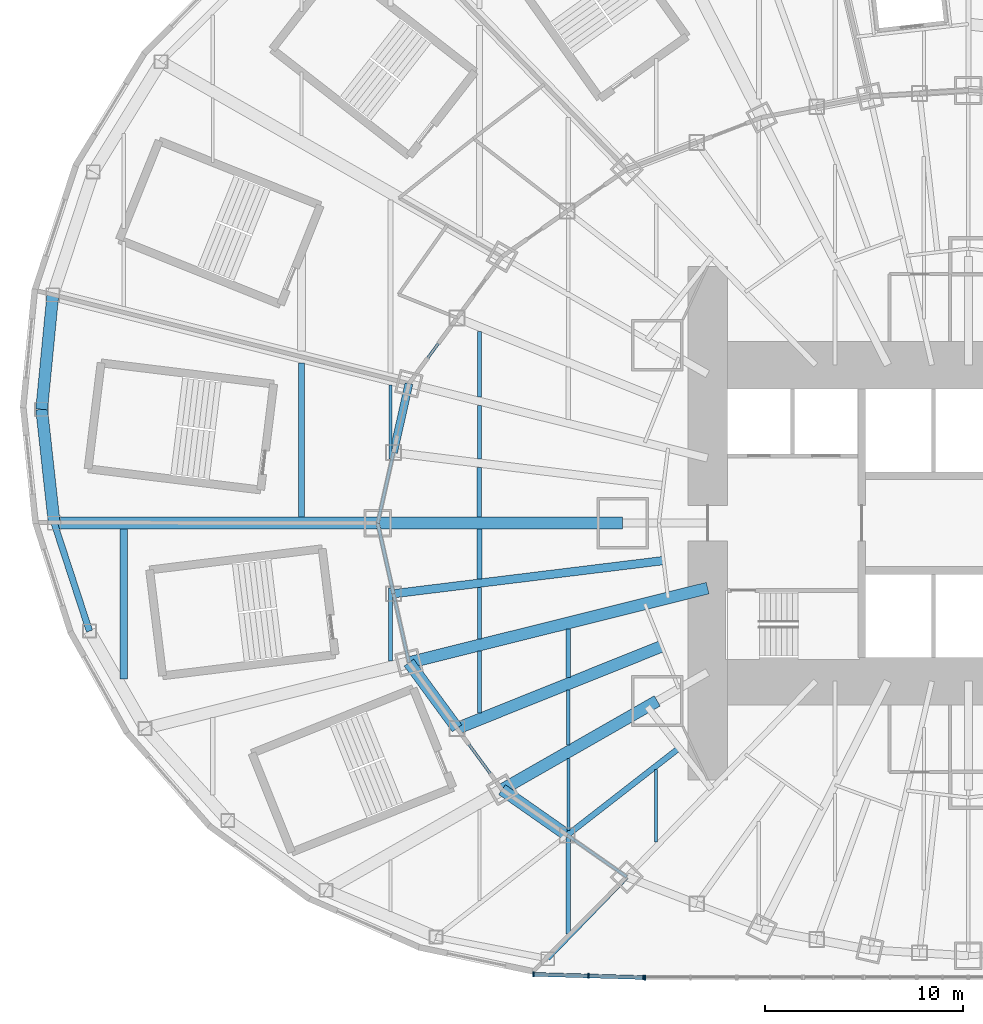
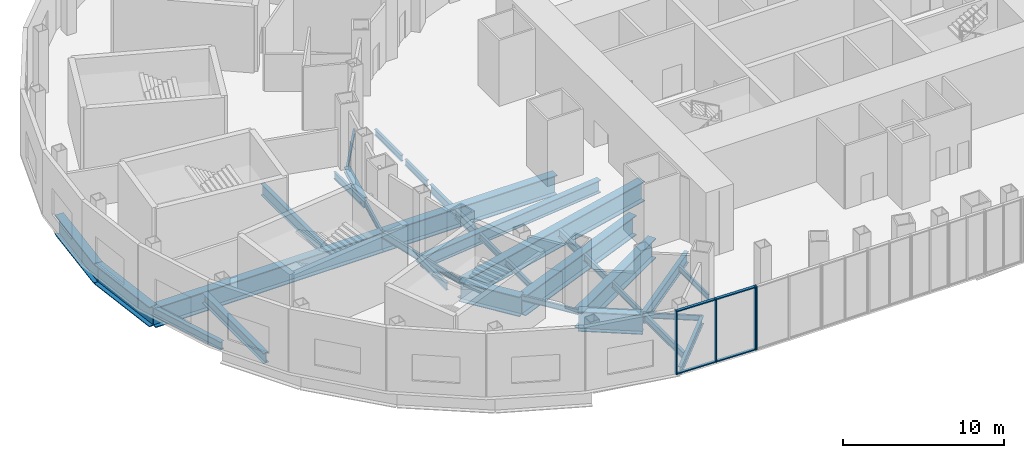
# One storey, part 2 of 73: 35 beams, 8 members, 2 elements without a shape of their own.
"""IFC4 building model written with IfcOpenShell, lengths in metres."""

from ifc_helpers import new_model, si_unit, direction, frame, origin, origin_2d, place, context, subcontext, project, spatial, rectangle, i_section, extrude, material, material_profile, profile_set, type_object, element, aggregate, save


model = new_model("IFC4")

# Units and contexts
model_context = context("Model", 3, precision=1e-05, world=origin(), true_north=direction((0.0, 1.0)))
body_context = subcontext(model_context, "Body", "Model", "MODEL_VIEW")
ifc_project = project(units=[si_unit("LENGTHUNIT", "METRE"), si_unit("AREAUNIT", "SQUARE_METRE"), si_unit("VOLUMEUNIT", "CUBIC_METRE"), si_unit("PLANEANGLEUNIT", "RADIAN"), si_unit("MASSUNIT", "GRAM", prefix="KILO")], contexts=[model_context])

# Site, building, storey
site_placement = place(None, origin())
site = spatial("IfcSite", under=ifc_project, at=site_placement, CompositionType="ELEMENT")
building_placement = place(site_placement, origin())
building = spatial("IfcBuilding", under=site, at=building_placement, Name="Lantaw Convention Tower", CompositionType="ELEMENT")
storey_placement = place(building_placement, frame((0.0, 0.0, 27.0)))
storey = spatial("IfcBuildingStorey", under=building, at=storey_placement, Name="L04", CompositionType="ELEMENT", Elevation=27.0)

# Beams
ifc_material_1 = material(Name="Steel ASTM A572 Grade 50", Category="steel")
ifc_material_profile_1 = material_profile(ifc_material_1, i_section(OverallWidth=0.60009765625, OverallDepth=1.5, WebThickness=0.02490234375, FlangeThickness=0.06005859375, at=origin_2d()), Name="PG1500X600X25X60")
ifc_profile_set_1 = profile_set([ifc_material_profile_1], Name="Steel ASTM A572 Grade 50")
beam_type_1 = type_object("IfcBeamType", Name="Beam E PG1500X600X25X60", PredefinedType="SPANDREL", material=ifc_profile_set_1)
beam_1_placement = place(storey_placement, frame((-28.31787109375, -7.060302734375, -0.949951171875), z_axis=(0.591255937291, -0.806483984105, 0.0), x_axis=(0.806483984105, 0.591255937291, 0.0)))
element("IfcBeam", 1, at=beam_1_placement, inside=storey, type_object=beam_type_1, Name="Edge beam 14", PredefinedType="SPANDREL", context=body_context, shape_type="SweptSolid", body=[
    extrude(i_section(OverallWidth=0.60009765625, OverallDepth=1.5, WebThickness=0.02490234375, FlangeThickness=0.06005859375, at=origin_2d()), origin(), (0.0, 0.0, 1.0), 4.126708984375),
])
beam_2_placement = place(storey_placement, frame((-23.60498046875, -13.488525390625, -0.949951171875), z_axis=(0.819442856133, -0.573160889744, 0.0), x_axis=(0.573160889744, 0.819442856133, 0.0)))
element("IfcBeam", 2, at=beam_2_placement, inside=storey, type_object=beam_type_1, Name="Edge beam 15", PredefinedType="SPANDREL", context=body_context, shape_type="SweptSolid", body=[
    extrude(i_section(OverallWidth=0.60009765625, OverallDepth=1.5, WebThickness=0.02490234375, FlangeThickness=0.06005859375, at=origin_2d()), origin(), (0.0, 0.0, 1.0), 4.022705078125),
])
beam_3_placement = place(storey_placement, frame((-46.342529296875, 11.554443359375, -0.949951171875), z_axis=(-0.097112121047, -0.995273447825, 0.0), x_axis=(0.995273447825, -0.097112121047, 0.0)))
element("IfcBeam", 3, at=beam_3_placement, inside=storey, type_object=beam_type_1, Name="Podium edge beam R11", PredefinedType="SPANDREL", context=body_context, shape_type="SweptSolid", body=[
    extrude(i_section(OverallWidth=0.60009765625, OverallDepth=1.5, WebThickness=0.02490234375, FlangeThickness=0.06005859375, at=origin_2d()), origin(), (0.0, 0.0, 1.0), 5.822509765625),
])
beam_4_placement = place(storey_placement, frame((-46.907958984375, 5.759521484375, -0.949951171875), z_axis=(0.109673093737, -0.993967712006, 0.0), x_axis=(0.993967712006, 0.109673093737, 0.0)))
element("IfcBeam", 4, at=beam_4_placement, inside=storey, type_object=beam_type_1, Name="Podium edge beam B11", PredefinedType="SPANDREL", context=body_context, shape_type="SweptSolid", body=[
    extrude(i_section(OverallWidth=0.60009765625, OverallDepth=1.5, WebThickness=0.02490234375, FlangeThickness=0.06005859375, at=origin_2d()), origin(), (0.0, 0.0, 1.0), 5.79443359375),
])
ifc_material_2 = material(Name="Steel ASTM A992", Category="steel")
ifc_material_profile_2 = material_profile(ifc_material_2, i_section(OverallWidth=0.40380859375, OverallDepth=0.406494140625, WebThickness=0.027099609375, FlangeThickness=0.043701171875, FilletRadius=0.01513671875, at=origin_2d()), Name="W14X233")
ifc_profile_set_2 = profile_set([ifc_material_profile_2], Name="Steel ASTM A992")
beam_type_2 = type_object("IfcBeamType", Name="Beam E W14X233", PredefinedType="SPANDREL", material=ifc_profile_set_2)
beam_5_placement = place(storey_placement, frame((-28.31787109375, 7.060302734375, -0.4033203125), z_axis=(-0.218673326171, -0.97579812278, 0.0), x_axis=(0.97579812278, -0.218673326171, 0.0)))
element("IfcBeam", 5, at=beam_5_placement, inside=storey, type_object=beam_type_2, Name="Edge beam 12", PredefinedType="SPANDREL", context=body_context, shape_type="SweptSolid", body=[
    extrude(i_section(OverallWidth=0.40380859375, OverallDepth=0.406494140625, WebThickness=0.027099609375, FlangeThickness=0.043701171875, FilletRadius=0.01513671875, at=origin_2d()), origin(), (0.0, 0.0, 1.0), 3.57373046875),
])
ifc_material_profile_3 = material_profile(ifc_material_2, i_section(OverallWidth=0.140380859375, OverallDepth=0.40380859375, WebThickness=0.007080078125, FlangeThickness=0.01123046875, FilletRadius=0.01025390625, at=origin_2d()), Name="W16X31")
ifc_profile_set_3 = profile_set([ifc_material_profile_3], Name="Steel ASTM A992")
beam_type_3 = type_object("IfcBeamType", Name="Beam E W16X31", PredefinedType="SPANDREL", material=ifc_profile_set_3)
beam_6_placement = place(storey_placement, frame((-25.8779296875, 10.388427734375, -0.40185546875), z_axis=(-0.591255937291, -0.806483984105, 0.0), x_axis=(0.806483984105, -0.591255937291, 0.0)))
element("IfcBeam", 6, at=beam_6_placement, inside=storey, type_object=beam_type_3, Name="Edge beam 11", PredefinedType="SPANDREL", context=body_context, shape_type="SweptSolid", body=[
    extrude(i_section(OverallWidth=0.140380859375, OverallDepth=0.40380859375, WebThickness=0.007080078125, FlangeThickness=0.01123046875, FilletRadius=0.01025390625, at=origin_2d()), origin(), (0.0, 0.0, 1.0), 4.126708984375),
])
beam_7_placement = place(storey_placement, frame((-29.099365234375, -3.572998046875, -0.40185546875), z_axis=(0.218673326171, -0.97579812278, 0.0), x_axis=(0.97579812278, 0.218673326171, 0.0)))
element("IfcBeam", 7, at=beam_7_placement, inside=storey, type_object=beam_type_3, Name="Edge beam 13", PredefinedType="SPANDREL", context=body_context, shape_type="SweptSolid", body=[
    extrude(i_section(OverallWidth=0.140380859375, OverallDepth=0.40380859375, WebThickness=0.007080078125, FlangeThickness=0.01123046875, FilletRadius=0.01025390625, at=origin_2d()), origin(), (0.0, 0.0, 1.0), 3.57373046875),
])
beam_8_placement = place(storey_placement, frame((-25.8779296875, -10.388427734375, -0.40185546875), z_axis=(0.591286566758, -0.806461527893, 0.0), x_axis=(0.806461527893, 0.591286566758, 0.0)))
element("IfcBeam", 8, at=beam_8_placement, inside=storey, type_object=beam_type_3, Name="Edge beam 14", PredefinedType="SPANDREL", context=body_context, shape_type="SweptSolid", body=[
    extrude(i_section(OverallWidth=0.140380859375, OverallDepth=0.40380859375, WebThickness=0.007080078125, FlangeThickness=0.01123046875, FilletRadius=0.01025390625, at=origin_2d()), origin(), (0.0, 0.0, 1.0), 3.843994140625),
])
beam_9_placement = place(storey_placement, frame((-20.30859375, -15.794189453125, -0.40185546875), z_axis=(0.819409395821, -0.573208724672, 0.0), x_axis=(0.573208724672, 0.819409395821, 0.0)))
element("IfcBeam", 9, at=beam_9_placement, inside=storey, type_object=beam_type_3, Name="Edge beam 15", PredefinedType="SPANDREL", context=body_context, shape_type="SweptSolid", body=[
    extrude(i_section(OverallWidth=0.140380859375, OverallDepth=0.40380859375, WebThickness=0.007080078125, FlangeThickness=0.01123046875, FilletRadius=0.01025390625, at=origin_2d()), origin(), (0.0, 0.0, 1.0), 3.682861328125),
])
ifc_material_profile_4 = material_profile(ifc_material_2, i_section(OverallWidth=0.15234375, OverallDepth=0.449462890625, WebThickness=0.007568359375, FlangeThickness=0.0107421875, FilletRadius=0.01025390625, at=origin_2d()), Name="W18X35")
ifc_profile_set_4 = profile_set([ifc_material_profile_4], Name="Steel ASTM A992")
beam_type_4 = type_object("IfcBeamType", Name="Beam E W18X35", PredefinedType="SPANDREL", material=ifc_profile_set_4)
beam_10_placement = place(storey_placement, frame((-29.099365234375, 3.572998046875, -0.4248046875), z_axis=(-0.218631550323, -0.975807483679, 0.0), x_axis=(0.975807483679, -0.218631550323, 0.0)))
element("IfcBeam", 10, at=beam_10_placement, inside=storey, type_object=beam_type_4, Name="Edge beam 12", PredefinedType="SPANDREL", context=body_context, shape_type="SweptSolid", body=[
    extrude(i_section(OverallWidth=0.15234375, OverallDepth=0.449462890625, WebThickness=0.007568359375, FlangeThickness=0.0107421875, FilletRadius=0.01025390625, at=origin_2d()), origin(), (0.0, 0.0, 1.0), 3.66162109375),
])
ifc_material_profile_5 = material_profile(ifc_material_2, i_section(OverallWidth=0.165771484375, OverallDepth=0.5283203125, WebThickness=0.009765625, FlangeThickness=0.013671875, FilletRadius=0.012939453125, at=origin_2d()), Name="W21X50")
ifc_profile_set_5 = profile_set([ifc_material_profile_5], Name="Steel ASTM A992")
beam_type_5 = type_object("IfcBeamType", Name="Beam E W21X50", PredefinedType="SPANDREL", material=ifc_profile_set_5)
beam_11_placement = place(storey_placement, frame((-29.89990234375, 0.0, -0.464111328125), z_axis=(0.218631550323, -0.975807483679, 0.0), x_axis=(0.975807483679, 0.218631550323, 0.0)))
element("IfcBeam", 11, at=beam_11_placement, inside=storey, type_object=beam_type_5, Name="Edge beam 13", PredefinedType="SPANDREL", context=body_context, shape_type="SweptSolid", body=[
    extrude(i_section(OverallWidth=0.165771484375, OverallDepth=0.5283203125, WebThickness=0.009765625, FlangeThickness=0.013671875, FilletRadius=0.012939453125, at=origin_2d()), origin(), (0.0, 0.0, 1.0), 3.66162109375),
])
ifc_material_profile_6 = material_profile(ifc_material_2, i_section(OverallWidth=0.3251953125, OverallDepth=0.612060546875, WebThickness=0.0126953125, FlangeThickness=0.01904296875, FilletRadius=0.0126953125, at=origin_2d()), Name="W24X104")
ifc_profile_set_6 = profile_set([ifc_material_profile_6], Name="Steel ASTM A992")
beam_type_6 = type_object("IfcBeamType", Name="Beam E W24X104", PredefinedType="SPANDREL", material=ifc_profile_set_6)
beam_12_placement = place(storey_placement, frame((-46.2724609375, 0.0, -0.506103515625), z_axis=(0.310448009473, -0.950590360468, 0.0), x_axis=(0.950590360468, 0.310448009473, 0.0)))
element("IfcBeam", 12, at=beam_12_placement, inside=storey, type_object=beam_type_6, Name="Podium edge beam R12", PredefinedType="SPANDREL", context=body_context, shape_type="SweptSolid", body=[
    extrude(i_section(OverallWidth=0.3251953125, OverallDepth=0.612060546875, WebThickness=0.0126953125, FlangeThickness=0.01904296875, FilletRadius=0.0126953125, at=origin_2d()), origin(), (0.0, 0.0, 1.0), 5.746337890625),
])
ifc_material_profile_7 = material_profile(ifc_material_1, i_section(OverallWidth=0.60009765625, OverallDepth=1.5, WebThickness=0.02490234375, FlangeThickness=0.06005859375, at=origin_2d()), Name="PG1500X600X25X60")
ifc_profile_set_7 = profile_set([ifc_material_profile_7], Name="Steel ASTM A572 Grade 50")
beam_type_7 = type_object("IfcBeamType", Name="Beam G PG1500X600X25X60", PredefinedType="BEAM", material=ifc_profile_set_7)
beam_13_placement = place(storey_placement, frame((-17.5, 0.0, -0.949951171875), z_axis=(-1.0, 0.0, 0.0), x_axis=(0.0, -1.0, 0.0)))
element("IfcBeam", 13, at=beam_13_placement, inside=storey, type_object=beam_type_7, Name="Floor girder on ray 13", PredefinedType="BEAM", context=body_context, shape_type="SweptSolid", body=[
    extrude(i_section(OverallWidth=0.60009765625, OverallDepth=1.5, WebThickness=0.02490234375, FlangeThickness=0.06005859375, at=origin_2d()), origin(), (0.0, 0.0, 1.0), 12.39990234375),
])
beam_14_placement = place(storey_placement, frame((-13.199951171875, -3.291015625, -0.949951171875), z_axis=(-0.970296233567, -0.241919860957, 0.0), x_axis=(0.241919860957, -0.970296233567, 0.0)))
element("IfcBeam", 14, at=beam_14_placement, inside=storey, type_object=beam_type_7, Name="Floor girder on ray 14", PredefinedType="BEAM", context=body_context, shape_type="SweptSolid", body=[
    extrude(i_section(OverallWidth=0.60009765625, OverallDepth=1.5, WebThickness=0.02490234375, FlangeThickness=0.06005859375, at=origin_2d()), origin(), (0.0, 0.0, 1.0), 15.580810546875),
])
beam_15_placement = place(storey_placement, frame((-15.52001953125, -6.23046875, -0.949951171875), z_axis=(-0.928018900171, -0.372533113864, 0.0), x_axis=(0.372533113864, -0.928018900171, 0.0)))
element("IfcBeam", 15, at=beam_15_placement, inside=storey, type_object=beam_type_7, Name="Floor girder on bisector 14", PredefinedType="BEAM", context=body_context, shape_type="SweptSolid", body=[
    extrude(i_section(OverallWidth=0.60009765625, OverallDepth=1.5, WebThickness=0.02490234375, FlangeThickness=0.06005859375, at=origin_2d()), origin(), (0.0, 0.0, 1.0), 11.161376953125),
])
beam_16_placement = place(storey_placement, frame((-15.75, -9.0, -0.949951171875), z_axis=(-0.868244802791, -0.496136032179, 0.0), x_axis=(0.496136032179, -0.868244802791, 0.0)))
element("IfcBeam", 16, at=beam_16_placement, inside=storey, type_object=beam_type_7, Name="Floor girder on ray 15", PredefinedType="BEAM", context=body_context, shape_type="SweptSolid", body=[
    extrude(i_section(OverallWidth=0.60009765625, OverallDepth=1.5, WebThickness=0.02490234375, FlangeThickness=0.06005859375, at=origin_2d()), origin(), (0.0, 0.0, 1.0), 9.046875),
])
ifc_material_profile_8 = material_profile(ifc_material_2, i_section(OverallWidth=0.2919921875, OverallDepth=0.845703125, WebThickness=0.015380859375, FlangeThickness=0.0244140625, FilletRadius=0.01513671875, at=origin_2d()), Name="W33X141")
ifc_profile_set_8 = profile_set([ifc_material_profile_8], Name="Steel ASTM A992")
beam_type_8 = type_object("IfcBeamType", Name="Beam G W33X141", PredefinedType="BEAM", material=ifc_profile_set_8)
beam_17_placement = place(storey_placement, frame((-14.628173828125, -11.37646484375, -0.622802734375), z_axis=(-0.789377792374, -0.613907729961, 0.0), x_axis=(0.613907729961, -0.789377792374, 0.0)))
element("IfcBeam", 17, at=beam_17_placement, inside=storey, type_object=beam_type_8, Name="Floor girder on bisector 15", PredefinedType="BEAM", context=body_context, shape_type="SweptSolid", body=[
    extrude(i_section(OverallWidth=0.2919921875, OverallDepth=0.845703125, WebThickness=0.015380859375, FlangeThickness=0.0244140625, FilletRadius=0.01513671875, at=origin_2d()), origin(), (0.0, 0.0, 1.0), 7.196044921875),
])
ifc_material_profile_9 = material_profile(ifc_material_2, i_section(OverallWidth=0.424072265625, OverallDepth=0.947509765625, WebThickness=0.02392578125, FlangeThickness=0.042724609375, FilletRadius=0.012451171875, at=origin_2d()), Name="W36X302")
ifc_profile_set_9 = profile_set([ifc_material_profile_9], Name="Steel ASTM A992")
beam_type_9 = type_object("IfcBeamType", Name="Beam G W36X302", PredefinedType="BEAM", material=ifc_profile_set_9)
beam_18_placement = place(storey_placement, frame((-15.433349609375, -1.89501953125, -0.673828125), z_axis=(-0.99254612715, -0.121869542874, 0.0), x_axis=(0.121869542874, -0.99254612715, 0.0)))
element("IfcBeam", 18, at=beam_18_placement, inside=storey, type_object=beam_type_9, Name="Floor girder on bisector 13", PredefinedType="BEAM", context=body_context, shape_type="SweptSolid", body=[
    extrude(i_section(OverallWidth=0.424072265625, OverallDepth=0.947509765625, WebThickness=0.02392578125, FlangeThickness=0.042724609375, FilletRadius=0.012451171875, at=origin_2d()), origin(), (0.0, 0.0, 1.0), 13.7685546875),
])
ifc_material_profile_10 = material_profile(ifc_material_2, i_section(OverallWidth=0.15234375, OverallDepth=0.449462890625, WebThickness=0.007568359375, FlangeThickness=0.0107421875, FilletRadius=0.01025390625, at=origin_2d()), Name="W18X35")
ifc_profile_set_10 = profile_set([ifc_material_profile_10], Name="Steel ASTM A992")
beam_type_10 = type_object("IfcBeamType", Name="Beam J W18X35", PredefinedType="JOIST", material=ifc_profile_set_10)
beam_19_placement = place(storey_placement, frame((-20.25, -15.5634765625, -0.4248046875), z_axis=(0.0, 1.0, 0.0), x_axis=(-1.0, 0.0, 0.0)))
element("IfcBeam", 19, at=beam_19_placement, inside=storey, type_object=beam_type_10, Name="Floor joist", PredefinedType="JOIST", context=body_context, shape_type="SweptSolid", body=[
    extrude(i_section(OverallWidth=0.15234375, OverallDepth=0.449462890625, WebThickness=0.007568359375, FlangeThickness=0.0107421875, FilletRadius=0.01025390625, at=origin_2d()), origin(), (0.0, 0.0, 1.0), 3.646484375),
])
beam_20_placement = place(storey_placement, frame((-15.800048828125, -16.151123046875, -0.4248046875), z_axis=(0.0, 1.0, 0.0), x_axis=(-1.0, 0.0, 0.0)))
element("IfcBeam", 20, at=beam_20_placement, inside=storey, type_object=beam_type_10, Name="Floor joist", PredefinedType="JOIST", context=body_context, shape_type="SweptSolid", body=[
    extrude(i_section(OverallWidth=0.15234375, OverallDepth=0.449462890625, WebThickness=0.007568359375, FlangeThickness=0.0107421875, FilletRadius=0.01025390625, at=origin_2d()), origin(), (0.0, 0.0, 1.0), 3.67822265625),
])
ifc_material_profile_11 = material_profile(ifc_material_2, i_section(OverallWidth=0.1904296875, OverallDepth=0.457275390625, WebThickness=0.009033203125, FlangeThickness=0.014404296875, FilletRadius=0.01025390625, at=origin_2d()), Name="W18X50")
ifc_profile_set_11 = profile_set([ifc_material_profile_11], Name="Steel ASTM A992")
beam_type_11 = type_object("IfcBeamType", Name="Beam J W18X50", PredefinedType="JOIST", material=ifc_profile_set_11)
beam_21_placement = place(storey_placement, frame((-24.75, -9.6123046875, -0.4287109375), z_axis=(0.0, 1.0, 0.0), x_axis=(-1.0, 0.0, 0.0)))
element("IfcBeam", 21, at=beam_21_placement, inside=storey, type_object=beam_type_11, Name="Floor joist", PredefinedType="JOIST", context=body_context, shape_type="SweptSolid", body=[
    extrude(i_section(OverallWidth=0.1904296875, OverallDepth=0.457275390625, WebThickness=0.009033203125, FlangeThickness=0.014404296875, FilletRadius=0.01025390625, at=origin_2d()), origin(), (0.0, 0.0, 1.0), 3.13232421875),
])
beam_22_placement = place(storey_placement, frame((-24.75, -5.861572265625, -0.4287109375), z_axis=(0.0, 1.0, 0.0), x_axis=(-1.0, 0.0, 0.0)))
element("IfcBeam", 22, at=beam_22_placement, inside=storey, type_object=beam_type_11, Name="Floor joist", PredefinedType="JOIST", context=body_context, shape_type="SweptSolid", body=[
    extrude(i_section(OverallWidth=0.1904296875, OverallDepth=0.457275390625, WebThickness=0.009033203125, FlangeThickness=0.014404296875, FilletRadius=0.01025390625, at=origin_2d()), origin(), (0.0, 0.0, 1.0), 2.60888671875),
])
beam_23_placement = place(storey_placement, frame((-24.75, 3.251220703125, -0.4287109375), z_axis=(0.0, 1.0, 0.0), x_axis=(-1.0, 0.0, 0.0)))
element("IfcBeam", 23, at=beam_23_placement, inside=storey, type_object=beam_type_11, Name="Floor joist", PredefinedType="JOIST", context=body_context, shape_type="SweptSolid", body=[
    extrude(i_section(OverallWidth=0.1904296875, OverallDepth=0.457275390625, WebThickness=0.009033203125, FlangeThickness=0.014404296875, FilletRadius=0.01025390625, at=origin_2d()), origin(), (0.0, 0.0, 1.0), 2.71142578125),
])
beam_24_placement = place(storey_placement, frame((-24.75, 6.37890625, -0.4287109375), z_axis=(0.0, 1.0, 0.0), x_axis=(-1.0, 0.0, 0.0)))
element("IfcBeam", 24, at=beam_24_placement, inside=storey, type_object=beam_type_11, Name="Floor joist", PredefinedType="JOIST", context=body_context, shape_type="SweptSolid", body=[
    extrude(i_section(OverallWidth=0.1904296875, OverallDepth=0.457275390625, WebThickness=0.009033203125, FlangeThickness=0.014404296875, FilletRadius=0.01025390625, at=origin_2d()), origin(), (0.0, 0.0, 1.0), 3.32958984375),
])
ifc_material_profile_12 = material_profile(ifc_material_2, i_section(OverallWidth=0.1650390625, OverallDepth=0.52587890625, WebThickness=0.0087890625, FlangeThickness=0.011474609375, FilletRadius=0.0126953125, at=origin_2d()), Name="W21X44")
ifc_profile_set_12 = profile_set([ifc_material_profile_12], Name="Steel ASTM A992")
beam_type_12 = type_object("IfcBeamType", Name="Beam J W21X44", PredefinedType="JOIST", material=ifc_profile_set_12)
beam_25_placement = place(storey_placement, frame((-29.25, 3.2490234375, -0.462890625), z_axis=(0.0, 1.0, 0.0), x_axis=(-1.0, 0.0, 0.0)))
element("IfcBeam", 25, at=beam_25_placement, inside=storey, type_object=beam_type_12, Name="Floor joist", PredefinedType="JOIST", context=body_context, shape_type="SweptSolid", body=[
    extrude(i_section(OverallWidth=0.1650390625, OverallDepth=0.52587890625, WebThickness=0.0087890625, FlangeThickness=0.011474609375, FilletRadius=0.0126953125, at=origin_2d()), origin(), (0.0, 0.0, 1.0), 3.734619140625),
])
beam_26_placement = place(storey_placement, frame((-20.25, -11.225830078125, -0.462890625), z_axis=(0.0, 1.0, 0.0), x_axis=(-1.0, 0.0, 0.0)))
element("IfcBeam", 26, at=beam_26_placement, inside=storey, type_object=beam_type_12, Name="Floor joist", PredefinedType="JOIST", context=body_context, shape_type="SweptSolid", body=[
    extrude(i_section(OverallWidth=0.1650390625, OverallDepth=0.52587890625, WebThickness=0.0087890625, FlangeThickness=0.011474609375, FilletRadius=0.0126953125, at=origin_2d()), origin(), (0.0, 0.0, 1.0), 2.7734375),
])
ifc_material_profile_13 = material_profile(ifc_material_2, i_section(OverallWidth=0.209228515625, OverallDepth=0.533447265625, WebThickness=0.01025390625, FlangeThickness=0.015625, FilletRadius=0.012939453125, at=origin_2d()), Name="W21X62")
ifc_profile_set_13 = profile_set([ifc_material_profile_13], Name="Steel ASTM A992")
beam_type_13 = type_object("IfcBeamType", Name="Beam J W21X62", PredefinedType="JOIST", material=ifc_profile_set_13)
beam_27_placement = place(storey_placement, frame((-29.25, -6.983642578125, -0.466796875), z_axis=(0.0, 1.0, 0.0), x_axis=(-1.0, 0.0, 0.0)))
element("IfcBeam", 27, at=beam_27_placement, inside=storey, type_object=beam_type_13, Name="Floor joist", PredefinedType="JOIST", context=body_context, shape_type="SweptSolid", body=[
    extrude(i_section(OverallWidth=0.209228515625, OverallDepth=0.533447265625, WebThickness=0.01025390625, FlangeThickness=0.015625, FilletRadius=0.012939453125, at=origin_2d()), origin(), (0.0, 0.0, 1.0), 3.703857421875),
])
ifc_material_profile_14 = material_profile(ifc_material_2, i_section(OverallWidth=0.2099609375, OverallDepth=0.535888671875, WebThickness=0.010986328125, FlangeThickness=0.017333984375, FilletRadius=0.012939453125, at=origin_2d()), Name="W21X68")
ifc_profile_set_14 = profile_set([ifc_material_profile_14], Name="Steel ASTM A992")
beam_type_14 = type_object("IfcBeamType", Name="Beam J W21X68", PredefinedType="JOIST", material=ifc_profile_set_14)
beam_28_placement = place(storey_placement, frame((-20.25, -20.805419921875, -0.468017578125), z_axis=(0.0, 1.0, 0.0), x_axis=(-1.0, 0.0, 0.0)))
element("IfcBeam", 28, at=beam_28_placement, inside=storey, type_object=beam_type_14, Name="Floor joist", PredefinedType="JOIST", context=body_context, shape_type="SweptSolid", body=[
    extrude(i_section(OverallWidth=0.2099609375, OverallDepth=0.535888671875, WebThickness=0.010986328125, FlangeThickness=0.017333984375, FilletRadius=0.012939453125, at=origin_2d()), origin(), (0.0, 0.0, 1.0), 4.884521484375),
])
ifc_material_profile_15 = material_profile(ifc_material_2, i_section(OverallWidth=0.227783203125, OverallDepth=0.60205078125, WebThickness=0.010498046875, FlangeThickness=0.014892578125, FilletRadius=0.012939453125, at=origin_2d()), Name="W24X68")
ifc_profile_set_15 = profile_set([ifc_material_profile_15], Name="Steel ASTM A992")
beam_type_15 = type_object("IfcBeamType", Name="Beam J W24X68", PredefinedType="JOIST", material=ifc_profile_set_15)
beam_29_placement = place(storey_placement, frame((-20.25, -7.805908203125, -0.5009765625), z_axis=(0.0, 1.0, 0.0), x_axis=(-1.0, 0.0, 0.0)))
element("IfcBeam", 29, at=beam_29_placement, inside=storey, type_object=beam_type_15, Name="Floor joist", PredefinedType="JOIST", context=body_context, shape_type="SweptSolid", body=[
    extrude(i_section(OverallWidth=0.227783203125, OverallDepth=0.60205078125, WebThickness=0.010498046875, FlangeThickness=0.014892578125, FilletRadius=0.012939453125, at=origin_2d()), origin(), (0.0, 0.0, 1.0), 2.44775390625),
])
ifc_material_profile_16 = material_profile(ifc_material_2, i_section(OverallWidth=0.22900390625, OverallDepth=0.612060546875, WebThickness=0.011962890625, FlangeThickness=0.01953125, FilletRadius=0.0126953125, at=origin_2d()), Name="W24X84")
ifc_profile_set_16 = profile_set([ifc_material_profile_16], Name="Steel ASTM A992")
beam_type_16 = type_object("IfcBeamType", Name="Beam J W24X84", PredefinedType="JOIST", material=ifc_profile_set_16)
beam_30_placement = place(storey_placement, frame((-24.75, 0.300048828125, -0.506103515625), z_axis=(0.0, 1.0, 0.0), x_axis=(-1.0, 0.0, 0.0)))
element("IfcBeam", 30, at=beam_30_placement, inside=storey, type_object=beam_type_16, Name="Floor joist", PredefinedType="JOIST", context=body_context, shape_type="SweptSolid", body=[
    extrude(i_section(OverallWidth=0.22900390625, OverallDepth=0.612060546875, WebThickness=0.011962890625, FlangeThickness=0.01953125, FilletRadius=0.0126953125, at=origin_2d()), origin(), (0.0, 0.0, 1.0), 2.5263671875),
])
ifc_material_profile_17 = material_profile(ifc_material_2, i_section(OverallWidth=0.25390625, OverallDepth=0.683349609375, WebThickness=0.012451171875, FlangeThickness=0.01904296875, FilletRadius=0.01513671875, at=origin_2d()), Name="W27X94")
ifc_profile_set_17 = profile_set([ifc_material_profile_17], Name="Steel ASTM A992")
beam_type_17 = type_object("IfcBeamType", Name="Beam J W27X94", PredefinedType="JOIST", material=ifc_profile_set_17)
beam_31_placement = place(storey_placement, frame((-24.75, -2.8251953125, -0.541748046875), z_axis=(0.0, 1.0, 0.0), x_axis=(-1.0, 0.0, 0.0)))
element("IfcBeam", 31, at=beam_31_placement, inside=storey, type_object=beam_type_17, Name="Floor joist", PredefinedType="JOIST", context=body_context, shape_type="SweptSolid", body=[
    extrude(i_section(OverallWidth=0.25390625, OverallDepth=0.683349609375, WebThickness=0.012451171875, FlangeThickness=0.01904296875, FilletRadius=0.01513671875, at=origin_2d()), origin(), (0.0, 0.0, 1.0), 2.525146484375),
])
ifc_material_profile_18 = material_profile(ifc_material_2, i_section(OverallWidth=0.381103515625, OverallDepth=0.772216796875, WebThickness=0.0166015625, FlangeThickness=0.027099609375, FilletRadius=0.0146484375, at=origin_2d()), Name="W30X173")
ifc_profile_set_18 = profile_set([ifc_material_profile_18], Name="Steel ASTM A992")
beam_type_18 = type_object("IfcBeamType", Name="Beam J W30X173", PredefinedType="JOIST", material=ifc_profile_set_18)
beam_32_placement = place(storey_placement, frame((-42.75, -7.89990234375, -0.586181640625), z_axis=(0.0, 1.0, 0.0), x_axis=(-1.0, 0.0, 0.0)))
element("IfcBeam", 32, at=beam_32_placement, inside=storey, type_object=beam_type_18, Name="Floor joist", PredefinedType="JOIST", context=body_context, shape_type="SweptSolid", body=[
    extrude(i_section(OverallWidth=0.381103515625, OverallDepth=0.772216796875, WebThickness=0.0166015625, FlangeThickness=0.027099609375, FilletRadius=0.0146484375, at=origin_2d()), origin(), (0.0, 0.0, 1.0), 7.599853515625),
])
ifc_material_profile_19 = material_profile(ifc_material_2, i_section(OverallWidth=0.2919921875, OverallDepth=0.845703125, WebThickness=0.015380859375, FlangeThickness=0.0244140625, FilletRadius=0.01513671875, at=origin_2d()), Name="W33X141")
ifc_profile_set_19 = profile_set([ifc_material_profile_19], Name="Steel ASTM A992")
beam_type_19 = type_object("IfcBeamType", Name="Beam J W33X141", PredefinedType="JOIST", material=ifc_profile_set_19)
beam_33_placement = place(storey_placement, frame((-33.75, 0.300048828125, -0.622802734375), z_axis=(0.0, 1.0, 0.0), x_axis=(-1.0, 0.0, 0.0)))
element("IfcBeam", 33, at=beam_33_placement, inside=storey, type_object=beam_type_19, Name="Floor joist", PredefinedType="JOIST", context=body_context, shape_type="SweptSolid", body=[
    extrude(i_section(OverallWidth=0.2919921875, OverallDepth=0.845703125, WebThickness=0.015380859375, FlangeThickness=0.0244140625, FilletRadius=0.01513671875, at=origin_2d()), origin(), (0.0, 0.0, 1.0), 7.8056640625),
])
ifc_material_profile_20 = material_profile(ifc_material_1, i_section(OverallWidth=0.60009765625, OverallDepth=1.5, WebThickness=0.02490234375, FlangeThickness=0.06005859375, at=origin_2d()), Name="PG1500X600X25X60")
ifc_profile_set_20 = profile_set([ifc_material_profile_20], Name="Steel ASTM A572 Grade 50")
beam_type_20 = type_object("IfcBeamType", Name="Beam PG PG1500X600X25X60", PredefinedType="BEAM", material=ifc_profile_set_20)
beam_34_placement = place(storey_placement, frame((-29.89990234375, 0.0, -0.949951171875), z_axis=(-1.0, 0.0, 0.0), x_axis=(0.0, -1.0, 0.0)))
element("IfcBeam", 34, at=beam_34_placement, inside=storey, type_object=beam_type_20, Name="Podium girder PR13", PredefinedType="BEAM", context=body_context, shape_type="SweptSolid", body=[
    extrude(i_section(OverallWidth=0.60009765625, OverallDepth=1.5, WebThickness=0.02490234375, FlangeThickness=0.06005859375, at=origin_2d()), origin(), (0.0, 0.0, 1.0), 16.37255859375),
])
ifc_material_profile_21 = material_profile(ifc_material_2, i_section(OverallWidth=0.227783203125, OverallDepth=0.60205078125, WebThickness=0.010498046875, FlangeThickness=0.014892578125, FilletRadius=0.012939453125, at=origin_2d()), Name="W24X68")
ifc_profile_set_21 = profile_set([ifc_material_profile_21], Name="Steel ASTM A992")
beam_type_21 = type_object("IfcBeamType", Name="Beam PG W24X68", PredefinedType="BEAM", material=ifc_profile_set_21)
beam_35_placement = place(storey_placement, frame((-17.290771484375, -17.9052734375, -0.5009765625), z_axis=(-0.694661096328, -0.719337167987, 0.0), x_axis=(0.719337167987, -0.694661096328, 0.0)))
element("IfcBeam", 35, at=beam_35_placement, inside=storey, type_object=beam_type_21, Name="Podium girder PR16", PredefinedType="BEAM", context=body_context, shape_type="SweptSolid", body=[
    extrude(i_section(OverallWidth=0.227783203125, OverallDepth=0.60205078125, WebThickness=0.010498046875, FlangeThickness=0.014892578125, FilletRadius=0.012939453125, at=origin_2d()), origin(), (0.0, 0.0, 1.0), 5.75830078125),
])

# Curtain wall, members
ifc_material_3 = material(Name="Aluminium framed curtain wall", Category="aluminium")
curtain_wall_type = type_object("IfcCurtainWallType", Name="Podium storefront curtain wall, pale aluminium", PredefinedType="USERDEFINED", material=ifc_material_3)
curtain_wall_1_placement = place(storey_placement, origin())
curtain_wall_1 = element("IfcCurtainWall", 36, at=curtain_wall_1_placement, inside=storey, type_object=curtain_wall_type, Name="Podium storefront curtain wall, pale aluminium L04", ObjectType="STOREFRONT", PredefinedType="USERDEFINED")
ifc_material_4 = material(Name="Aluminium 6063-T6", Category="aluminium")
ifc_material_profile_22 = material_profile(ifc_material_4, rectangle(XDim=0.25, YDim=0.080078125, at=origin_2d()), Name="CW-P mullion 80x250")
ifc_profile_set_22 = profile_set([ifc_material_profile_22], Name="Aluminium 6063-T6")
member_type_1 = type_object("IfcMemberType", Name="CW-P mullion 80x250", PredefinedType="MULLION", material=ifc_profile_set_22)
member_1_placement = place(storey_placement, frame((-22.01513671875, -22.83984375, 0.0), z_axis=(0.0, 0.0, 1.0), x_axis=(0.028552206976, 0.99959230263, 0.0)))
member_1 = element("IfcMember", 37, at=member_1_placement, type_object=member_type_1, Name="CW-P mullion 1", PredefinedType="MULLION", context=body_context, shape_type="SweptSolid", body=[
    extrude(rectangle(XDim=0.25, YDim=0.080078125, at=origin_2d()), origin(), (0.0, 0.0, 1.0), 4.800048828125),
])
member_2_placement = place(storey_placement, frame((-19.23046875, -22.91943359375, 0.0), z_axis=(0.0, 0.0, 1.0), x_axis=(0.028552206976, 0.99959230263, 0.0)))
member_2 = element("IfcMember", 38, at=member_2_placement, type_object=member_type_1, Name="CW-P mullion 2", PredefinedType="MULLION", context=body_context, shape_type="SweptSolid", body=[
    extrude(rectangle(XDim=0.25, YDim=0.080078125, at=origin_2d()), origin(), (0.0, 0.0, 1.0), 4.800048828125),
])
member_3_placement = place(storey_placement, frame((-16.44580078125, -22.998779296875, 0.0), z_axis=(0.0, 0.0, 1.0), x_axis=(0.028552206976, 0.99959230263, 0.0)))
member_3 = element("IfcMember", 39, at=member_3_placement, type_object=member_type_1, Name="CW-P mullion 3", PredefinedType="MULLION", context=body_context, shape_type="SweptSolid", body=[
    extrude(rectangle(XDim=0.25, YDim=0.080078125, at=origin_2d()), origin(), (0.0, 0.0, 1.0), 4.800048828125),
])

# Curtain wall, member
curtain_wall_2_placement = place(storey_placement, origin())
curtain_wall_2 = element("IfcCurtainWall", 40, at=curtain_wall_2_placement, inside=storey, type_object=curtain_wall_type, Name="Podium storefront curtain wall, pale aluminium L04", ObjectType="STOREFRONT", PredefinedType="USERDEFINED")
member_4_placement = place(storey_placement, frame((-16.36572265625, -23.0, 0.0), z_axis=(0.0, 0.0, 1.0), x_axis=(0.0, 1.0, 0.0)))
member_4 = element("IfcMember", 41, at=member_4_placement, type_object=member_type_1, Name="CW-P mullion 1", PredefinedType="MULLION", context=body_context, shape_type="SweptSolid", body=[
    extrude(rectangle(XDim=0.25, YDim=0.080078125, at=origin_2d()), origin(), (0.0, 0.0, 1.0), 4.800048828125),
])
aggregate(curtain_wall_2, [member_4])

# Member
ifc_material_profile_23 = material_profile(ifc_material_4, rectangle(XDim=0.199951171875, YDim=0.080078125, at=origin_2d()), Name="CW-P transom 80x200")
ifc_profile_set_23 = profile_set([ifc_material_profile_23], Name="Aluminium 6063-T6")
member_type_2 = type_object("IfcMemberType", Name="CW-P transom 80x200", PredefinedType="USERDEFINED", material=ifc_profile_set_23)
member_5_placement = place(storey_placement, frame((-21.97509765625, -22.8408203125, 0.0400390625), z_axis=(0.999590908137, -0.028600985457, 0.0), x_axis=(0.028600985457, 0.999590908137, 0.0)))
member_5 = element("IfcMember", 42, at=member_5_placement, type_object=member_type_2, Name="CW-P transom 1.1", ObjectType="TRANSOM", PredefinedType="USERDEFINED", context=body_context, shape_type="SweptSolid", body=[
    extrude(rectangle(XDim=0.199951171875, YDim=0.080078125, at=origin_2d()), origin(), (0.0, 0.0, 1.0), 2.7060546875),
])

member_6_placement = place(storey_placement, frame((-21.97509765625, -22.8408203125, 4.760009765625), z_axis=(0.999590908137, -0.028600985457, 0.0), x_axis=(0.028600985457, 0.999590908137, 0.0)))
member_6 = element("IfcMember", 43, at=member_6_placement, type_object=member_type_2, Name="CW-P transom 1.2", ObjectType="TRANSOM", PredefinedType="USERDEFINED", context=body_context, shape_type="SweptSolid", body=[
    extrude(rectangle(XDim=0.199951171875, YDim=0.080078125, at=origin_2d()), origin(), (0.0, 0.0, 1.0), 2.7060546875),
])

member_7_placement = place(storey_placement, frame((-19.1904296875, -22.92041015625, 0.0400390625), z_axis=(0.999590908137, -0.028600985457, 0.0), x_axis=(0.028600985457, 0.999590908137, 0.0)))
member_7 = element("IfcMember", 44, at=member_7_placement, type_object=member_type_2, Name="CW-P transom 2.1", ObjectType="TRANSOM", PredefinedType="USERDEFINED", context=body_context, shape_type="SweptSolid", body=[
    extrude(rectangle(XDim=0.199951171875, YDim=0.080078125, at=origin_2d()), origin(), (0.0, 0.0, 1.0), 2.7060546875),
])

member_8_placement = place(storey_placement, frame((-19.1904296875, -22.92041015625, 4.760009765625), z_axis=(0.999590908137, -0.028600985457, 0.0), x_axis=(0.028600985457, 0.999590908137, 0.0)))
member_8 = element("IfcMember", 45, at=member_8_placement, type_object=member_type_2, Name="CW-P transom 2.2", ObjectType="TRANSOM", PredefinedType="USERDEFINED", context=body_context, shape_type="SweptSolid", body=[
    extrude(rectangle(XDim=0.199951171875, YDim=0.080078125, at=origin_2d()), origin(), (0.0, 0.0, 1.0), 2.7060546875),
])

aggregate(curtain_wall_1, [member_1, member_2, member_3, member_5, member_6, member_7, member_8])

save(model, "model.ifc")
